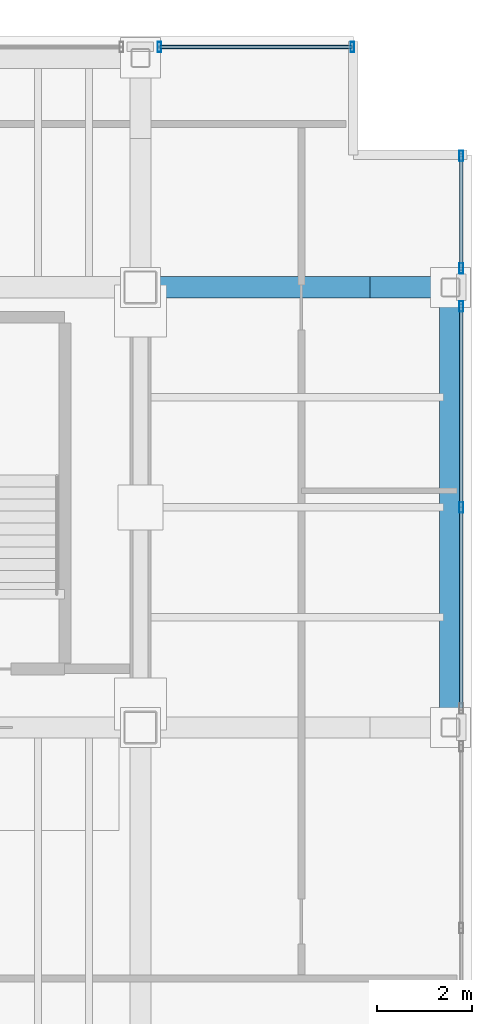
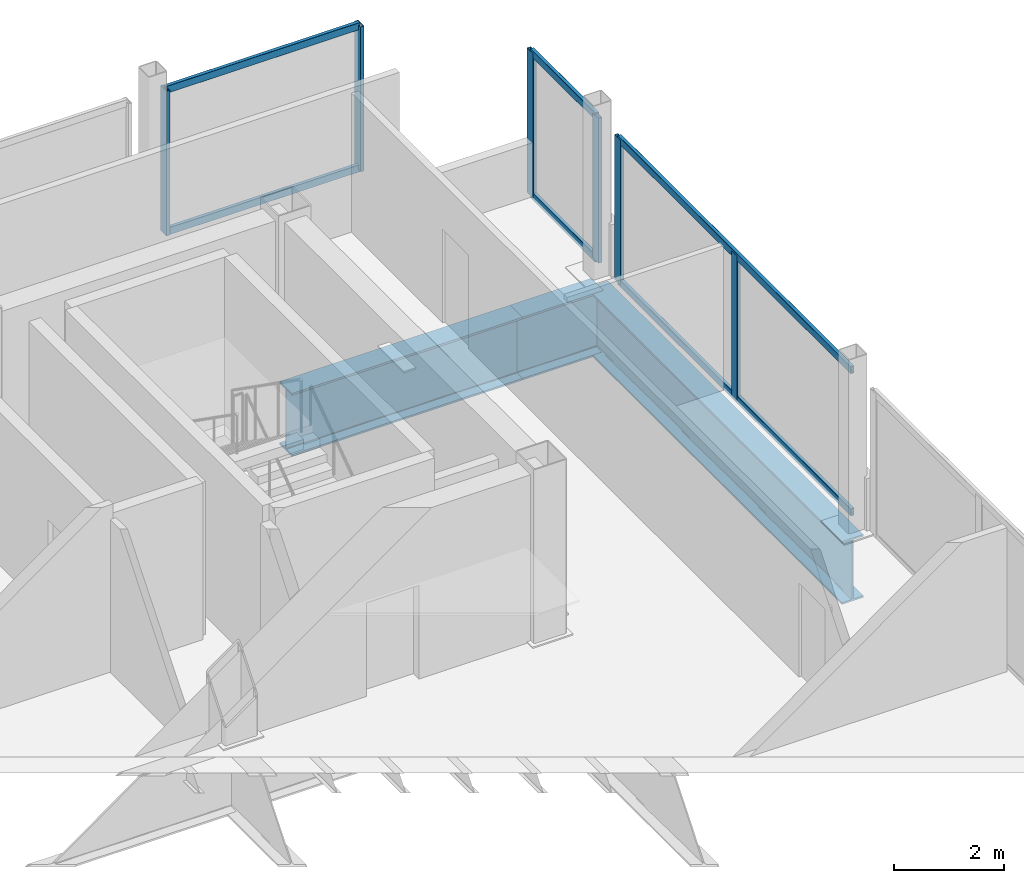
# One storey, part 13 of 17: 12 members, 3 beams, 3 elements without a shape of their own.
"""IFC4 building model written with IfcOpenShell, lengths in metres."""

from ifc_helpers import new_model, si_unit, direction, frame, origin, origin_2d, place, context, subcontext, project, spatial, hollow_rectangle, i_section, extrude, material, material_profile, profile_set, type_object, element, aggregate, save


model = new_model("IFC4")

# Units and contexts
model_context = context("Model", 3, precision=1e-05, world=origin(), true_north=direction((0.0, 1.0)))
body_context = subcontext(model_context, "Body", "Model", "MODEL_VIEW")
ifc_project = project(units=[si_unit("LENGTHUNIT", "METRE"), si_unit("AREAUNIT", "SQUARE_METRE"), si_unit("VOLUMEUNIT", "CUBIC_METRE"), si_unit("PLANEANGLEUNIT", "RADIAN"), si_unit("MASSUNIT", "GRAM", prefix="KILO")], contexts=[model_context])

# Site, building, storey
site_placement = place(None, origin())
site = spatial("IfcSite", under=ifc_project, at=site_placement, CompositionType="ELEMENT")
building_placement = place(site_placement, origin())
building = spatial("IfcBuilding", under=site, at=building_placement, Name="Noeulbin Bourse Tower", CompositionType="ELEMENT")
storey_placement = place(building_placement, frame((0.0, 0.0, 281.300048828125)))
storey = spatial("IfcBuildingStorey", under=building, at=storey_placement, Name="L70", CompositionType="ELEMENT", Elevation=281.300048828125)

# Beams
ifc_material_1 = material(Name="Steel S460", Category="steel")
ifc_material_profile_1 = material_profile(ifc_material_1, i_section(OverallWidth=0.449951171875, OverallDepth=1.39990234375, WebThickness=0.02392578125, FlangeThickness=0.0400390625, FilletRadius=0.02392578125, at=origin_2d()), Name="PG-1400x450x24x40", Category="LoadBearing")
ifc_profile_set_1 = profile_set([ifc_material_profile_1], Name="Steel S460")
beam_type = type_object("IfcBeamType", Name="BM-TRF-1400", PredefinedType="USERDEFINED", material=ifc_profile_set_1)
beam_1_placement = place(storey_placement, frame((44.0, 38.300048828125, -0.93994140625), z_axis=(1.0, 0.0, 0.0), x_axis=(0.0, 1.0, 0.0)))
element("IfcBeam", 1, at=beam_1_placement, inside=storey, type_object=beam_type, Name="Tower Primary Girder EW L70-3.4", ObjectType="GIRDER", PredefinedType="USERDEFINED", context=body_context, shape_type="SweptSolid", body=[
    extrude(i_section(OverallWidth=0.449951171875, OverallDepth=1.39990234375, WebThickness=0.02392578125, FlangeThickness=0.0400390625, FilletRadius=0.02392578125, at=origin_2d()), origin(), (0.0, 0.0, 1.0), 4.85009765625),
])
beam_2_placement = place(storey_placement, frame((48.85009765625, 38.300048828125, -0.93994140625), z_axis=(1.0, 0.0, 0.0), x_axis=(0.0, 1.0, 0.0)))
element("IfcBeam", 2, at=beam_2_placement, inside=storey, type_object=beam_type, Name="Tower Primary Girder EW L70-3.5", ObjectType="GIRDER", PredefinedType="USERDEFINED", context=body_context, shape_type="SweptSolid", body=[
    extrude(i_section(OverallWidth=0.449951171875, OverallDepth=1.39990234375, WebThickness=0.02392578125, FlangeThickness=0.0400390625, FilletRadius=0.02392578125, at=origin_2d()), origin(), (0.0, 0.0, 1.0), 1.699951171875),
])
beam_3_placement = place(storey_placement, frame((50.550048828125, 29.0, -0.93994140625), z_axis=(0.0, 1.0, 0.0), x_axis=(-1.0, 0.0, 0.0)))
element("IfcBeam", 3, at=beam_3_placement, inside=storey, type_object=beam_type, Name="East Spandrel L70-1", ObjectType="GIRDER", PredefinedType="USERDEFINED", context=body_context, shape_type="SweptSolid", body=[
    extrude(i_section(OverallWidth=0.449951171875, OverallDepth=1.39990234375, WebThickness=0.02392578125, FlangeThickness=0.0400390625, FilletRadius=0.02392578125, at=origin_2d()), origin(), (0.0, 0.0, 1.0), 9.300048828125),
])

# Curtain wall, members
ifc_material_2 = material(Name="High-Selectivity Low-Iron Glazing", Category="glass")
curtain_wall_type = type_object("IfcCurtainWallType", Name="CW-SYS-4", PredefinedType="NOTDEFINED", material=ifc_material_2)
curtain_wall_1_placement = place(storey_placement, origin())
curtain_wall_1 = element("IfcCurtainWall", 4, at=curtain_wall_1_placement, inside=storey, type_object=curtain_wall_type, Name="Unitised Curtain Wall CW-L70-N-S5", PredefinedType="NOTDEFINED")
ifc_material_3 = material(Name="Anodised Aluminium 6063-T6", Category="aluminium")
ifc_material_profile_2 = material_profile(ifc_material_3, hollow_rectangle(XDim=0.074951171875, YDim=0.219970703125, WallThickness=0.0048828125, InnerFilletRadius=0.00244140625, OuterFilletRadius=0.0048828125, at=origin_2d()), Name="ALU-MULL-75x220x5", Category="LoadBearing")
ifc_profile_set_2 = profile_set([ifc_material_profile_2], Name="Anodised Aluminium 6063-T6")
member_type_1 = type_object("IfcMemberType", Name="CW-SYS-4-MUL", PredefinedType="MULLION", material=ifc_profile_set_2)
member_1_placement = place(storey_placement, frame((44.39990234375, 43.3798828125, -0.02001953125), z_axis=(0.0, 0.0, 1.0), x_axis=(1.0, 0.0, 0.0)))
member_1 = element("IfcMember", 5, at=member_1_placement, type_object=member_type_1, Name="Curtain Wall Mullion CW-L70-N-S5-M00", PredefinedType="MULLION", context=body_context, shape_type="SweptSolid", body=[
    extrude(hollow_rectangle(XDim=0.074951171875, YDim=0.219970703125, WallThickness=0.0048828125, InnerFilletRadius=0.00244140625, OuterFilletRadius=0.0048828125, at=origin_2d()), origin(), (0.0, 0.0, 1.0), 3.219970703125),
])
member_2_placement = place(storey_placement, frame((48.47998046875, 43.3798828125, -0.02001953125), z_axis=(0.0, 0.0, 1.0), x_axis=(1.0, 0.0, 0.0)))
member_2 = element("IfcMember", 6, at=member_2_placement, type_object=member_type_1, Name="Curtain Wall Mullion CW-L70-N-S5-M01", PredefinedType="MULLION", context=body_context, shape_type="SweptSolid", body=[
    extrude(hollow_rectangle(XDim=0.074951171875, YDim=0.219970703125, WallThickness=0.0048828125, InnerFilletRadius=0.00244140625, OuterFilletRadius=0.0048828125, at=origin_2d()), origin(), (0.0, 0.0, 1.0), 3.219970703125),
])

curtain_wall_2_placement = place(storey_placement, origin())
curtain_wall_2 = element("IfcCurtainWall", 7, at=curtain_wall_2_placement, inside=storey, type_object=curtain_wall_type, Name="Unitised Curtain Wall CW-L70-E-S2", PredefinedType="NOTDEFINED")
member_3_placement = place(storey_placement, frame((50.780029296875, 33.64990234375, -0.02001953125), z_axis=(0.0, 0.0, 1.0), x_axis=(1.0, 0.0, 0.0)))
member_3 = element("IfcMember", 8, at=member_3_placement, type_object=member_type_1, Name="Curtain Wall Mullion CW-L70-E-S2-M01", PredefinedType="MULLION", context=body_context, shape_type="SweptSolid", body=[
    extrude(hollow_rectangle(XDim=0.074951171875, YDim=0.219970703125, WallThickness=0.0048828125, InnerFilletRadius=0.00244140625, OuterFilletRadius=0.0048828125, at=origin_2d()), origin(), (0.0, 0.0, 1.0), 3.219970703125),
])
member_4_placement = place(storey_placement, frame((50.780029296875, 37.89990234375, -0.02001953125), z_axis=(0.0, 0.0, 1.0), x_axis=(1.0, 0.0, 0.0)))
member_4 = element("IfcMember", 9, at=member_4_placement, type_object=member_type_1, Name="Curtain Wall Mullion CW-L70-E-S2-M02", PredefinedType="MULLION", context=body_context, shape_type="SweptSolid", body=[
    extrude(hollow_rectangle(XDim=0.074951171875, YDim=0.219970703125, WallThickness=0.0048828125, InnerFilletRadius=0.00244140625, OuterFilletRadius=0.0048828125, at=origin_2d()), origin(), (0.0, 0.0, 1.0), 3.219970703125),
])

curtain_wall_3_placement = place(storey_placement, origin())
curtain_wall_3 = element("IfcCurtainWall", 10, at=curtain_wall_3_placement, inside=storey, type_object=curtain_wall_type, Name="Unitised Curtain Wall CW-L70-E-S3", PredefinedType="NOTDEFINED")
member_5_placement = place(storey_placement, frame((50.780029296875, 38.699951171875, -0.02001953125), z_axis=(0.0, 0.0, 1.0), x_axis=(1.0, 0.0, 0.0)))
member_5 = element("IfcMember", 11, at=member_5_placement, type_object=member_type_1, Name="Curtain Wall Mullion CW-L70-E-S3-M00", PredefinedType="MULLION", context=body_context, shape_type="SweptSolid", body=[
    extrude(hollow_rectangle(XDim=0.074951171875, YDim=0.219970703125, WallThickness=0.0048828125, InnerFilletRadius=0.00244140625, OuterFilletRadius=0.0048828125, at=origin_2d()), origin(), (0.0, 0.0, 1.0), 3.219970703125),
])
member_6_placement = place(storey_placement, frame((50.780029296875, 41.080078125, -0.02001953125), z_axis=(0.0, 0.0, 1.0), x_axis=(1.0, 0.0, 0.0)))
member_6 = element("IfcMember", 12, at=member_6_placement, type_object=member_type_1, Name="Curtain Wall Mullion CW-L70-E-S3-M01", PredefinedType="MULLION", context=body_context, shape_type="SweptSolid", body=[
    extrude(hollow_rectangle(XDim=0.074951171875, YDim=0.219970703125, WallThickness=0.0048828125, InnerFilletRadius=0.00244140625, OuterFilletRadius=0.0048828125, at=origin_2d()), origin(), (0.0, 0.0, 1.0), 3.219970703125),
])

# Member
ifc_material_profile_3 = material_profile(ifc_material_3, hollow_rectangle(XDim=0.074951171875, YDim=0.159912109375, WallThickness=0.0048828125, InnerFilletRadius=0.00244140625, OuterFilletRadius=0.0048828125, at=origin_2d()), Name="ALU-TRAN-75x160x5", Category="LoadBearing")
ifc_profile_set_3 = profile_set([ifc_material_profile_3], Name="Anodised Aluminium 6063-T6")
member_type_2 = type_object("IfcMemberType", Name="CW-SYS-4-TRN", PredefinedType="USERDEFINED", material=ifc_profile_set_3)
member_7_placement = place(storey_placement, frame((44.409912109375, 43.3798828125, 0.010009765625), z_axis=(1.0, 0.0, 0.0), x_axis=(0.0, 1.0, 0.0)))
member_7 = element("IfcMember", 13, at=member_7_placement, type_object=member_type_2, Name="Curtain Wall Transom CW-L70-N-S5-T00", ObjectType="TRANSOM", PredefinedType="USERDEFINED", context=body_context, shape_type="SweptSolid", body=[
    extrude(hollow_rectangle(XDim=0.074951171875, YDim=0.159912109375, WallThickness=0.0048828125, InnerFilletRadius=0.00244140625, OuterFilletRadius=0.0048828125, at=origin_2d()), origin(), (0.0, 0.0, 1.0), 4.06005859375),
])

member_8_placement = place(storey_placement, frame((44.409912109375, 43.3798828125, 3.169921875), z_axis=(1.0, 0.0, 0.0), x_axis=(0.0, 1.0, 0.0)))
member_8 = element("IfcMember", 14, at=member_8_placement, type_object=member_type_2, Name="Curtain Wall Transom CW-L70-N-S5-T01", ObjectType="TRANSOM", PredefinedType="USERDEFINED", context=body_context, shape_type="SweptSolid", body=[
    extrude(hollow_rectangle(XDim=0.074951171875, YDim=0.159912109375, WallThickness=0.0048828125, InnerFilletRadius=0.00244140625, OuterFilletRadius=0.0048828125, at=origin_2d()), origin(), (0.0, 0.0, 1.0), 4.06005859375),
])

aggregate(curtain_wall_1, [member_1, member_2, member_7, member_8])

member_9_placement = place(storey_placement, frame((50.780029296875, 29.409912109375, 0.010009765625), z_axis=(0.0, 1.0, 0.0), x_axis=(-1.0, 0.0, 0.0)))
member_9 = element("IfcMember", 15, at=member_9_placement, type_object=member_type_2, Name="Curtain Wall Transom CW-L70-E-S2-T00", ObjectType="TRANSOM", PredefinedType="USERDEFINED", context=body_context, shape_type="SweptSolid", body=[
    extrude(hollow_rectangle(XDim=0.074951171875, YDim=0.159912109375, WallThickness=0.0048828125, InnerFilletRadius=0.00244140625, OuterFilletRadius=0.0048828125, at=origin_2d()), origin(), (0.0, 0.0, 1.0), 8.47998046875),
])

member_10_placement = place(storey_placement, frame((50.780029296875, 29.409912109375, 3.169921875), z_axis=(0.0, 1.0, 0.0), x_axis=(-1.0, 0.0, 0.0)))
member_10 = element("IfcMember", 16, at=member_10_placement, type_object=member_type_2, Name="Curtain Wall Transom CW-L70-E-S2-T01", ObjectType="TRANSOM", PredefinedType="USERDEFINED", context=body_context, shape_type="SweptSolid", body=[
    extrude(hollow_rectangle(XDim=0.074951171875, YDim=0.159912109375, WallThickness=0.0048828125, InnerFilletRadius=0.00244140625, OuterFilletRadius=0.0048828125, at=origin_2d()), origin(), (0.0, 0.0, 1.0), 8.47998046875),
])

aggregate(curtain_wall_2, [member_3, member_4, member_9, member_10])

member_11_placement = place(storey_placement, frame((50.780029296875, 38.7099609375, 0.010009765625), z_axis=(0.0, 1.0, 0.0), x_axis=(-1.0, 0.0, 0.0)))
member_11 = element("IfcMember", 17, at=member_11_placement, type_object=member_type_2, Name="Curtain Wall Transom CW-L70-E-S3-T00", ObjectType="TRANSOM", PredefinedType="USERDEFINED", context=body_context, shape_type="SweptSolid", body=[
    extrude(hollow_rectangle(XDim=0.074951171875, YDim=0.159912109375, WallThickness=0.0048828125, InnerFilletRadius=0.00244140625, OuterFilletRadius=0.0048828125, at=origin_2d()), origin(), (0.0, 0.0, 1.0), 2.360107421875),
])

member_12_placement = place(storey_placement, frame((50.780029296875, 38.7099609375, 3.169921875), z_axis=(0.0, 1.0, 0.0), x_axis=(-1.0, 0.0, 0.0)))
member_12 = element("IfcMember", 18, at=member_12_placement, type_object=member_type_2, Name="Curtain Wall Transom CW-L70-E-S3-T01", ObjectType="TRANSOM", PredefinedType="USERDEFINED", context=body_context, shape_type="SweptSolid", body=[
    extrude(hollow_rectangle(XDim=0.074951171875, YDim=0.159912109375, WallThickness=0.0048828125, InnerFilletRadius=0.00244140625, OuterFilletRadius=0.0048828125, at=origin_2d()), origin(), (0.0, 0.0, 1.0), 2.360107421875),
])

aggregate(curtain_wall_3, [member_5, member_6, member_11, member_12])

save(model, "model.ifc")
